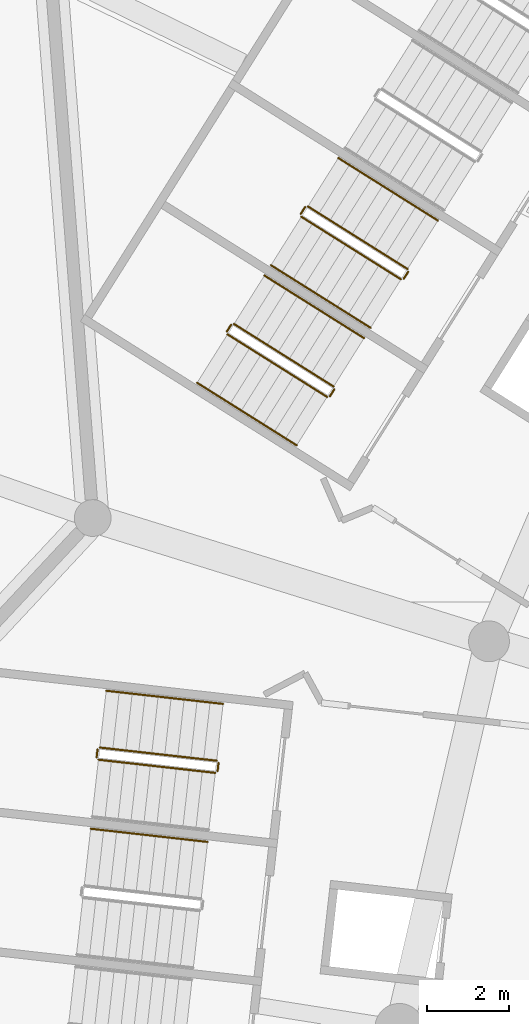
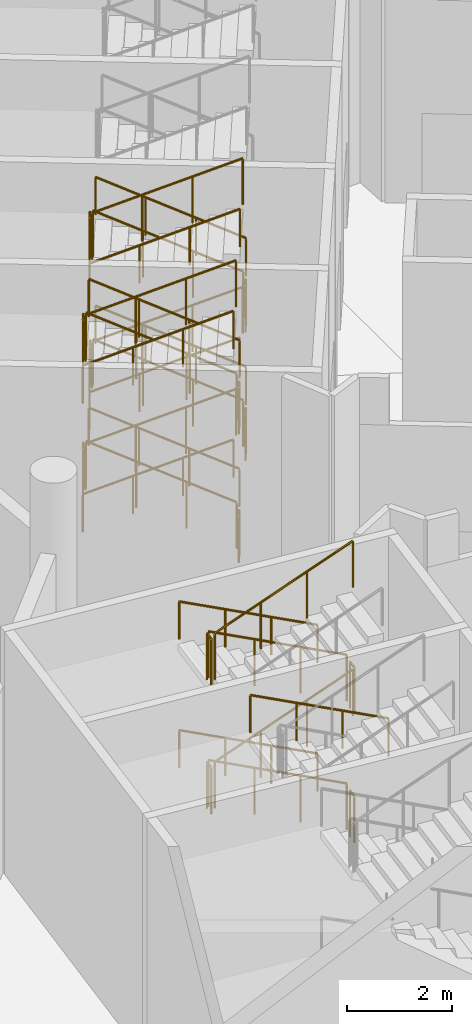
# One storey, part 232 of 249: 35 railings.
"""IFC4 building model written with IfcOpenShell, lengths in metres."""

from ifc_helpers import new_model, si_unit, direction, frame, origin, origin_2d, place, context, subcontext, project, spatial, circle, extrude, material, type_object, element, save


model = new_model("IFC4")

# Units and contexts
model_context = context("Model", 3, precision=1e-05, world=origin(), true_north=direction((0.0, 1.0)))
body_context = subcontext(model_context, "Body", "Model", "MODEL_VIEW")
ifc_project = project(units=[si_unit("LENGTHUNIT", "METRE"), si_unit("AREAUNIT", "SQUARE_METRE"), si_unit("VOLUMEUNIT", "CUBIC_METRE"), si_unit("PLANEANGLEUNIT", "RADIAN"), si_unit("MASSUNIT", "GRAM", prefix="KILO")], contexts=[model_context])

# Site, building, storey
site_placement = place(None, origin())
site = spatial("IfcSite", under=ifc_project, at=site_placement, CompositionType="ELEMENT")
building_placement = place(site_placement, origin())
building = spatial("IfcBuilding", under=site, at=building_placement, Name="Meseta Stadium", CompositionType="ELEMENT")
storey_placement = place(building_placement, frame((0.0, 0.0, 12.0)))
storey = spatial("IfcBuildingStorey", under=building, at=storey_placement, Name="L02", CompositionType="ELEMENT", Elevation=12.0)

# Railings
ifc_material_1 = material(Name="Steel S355", Category="steel")
railing_type_1 = type_object("IfcRailingType", Name="Stair guard 1100", PredefinedType="GUARDRAIL", material=ifc_material_1)
railing_1_placement = place(storey_placement, frame((-84.165283203125, 72.150146484375, 0.14990234375)))
element("IfcRailing", 1, at=railing_1_placement, inside=storey, type_object=railing_type_1, Name="ST55 L02 guard 1", PredefinedType="GUARDRAIL", context=body_context, shape_type="SweptSolid", body=[
    extrude(circle(Radius=0.02392578125, at=origin_2d()), frame((0.0, 0.0, 1.076171875), z_axis=(-0.766655447606, 0.481731036161, 0.424469826318), x_axis=(-0.53203959143, -0.846719477248, 0.0)), (0.0, 0.0, 1.0), 3.1806640625),
    extrude(circle(Radius=0.02099609375, at=origin_2d()), origin(), (0.0, 0.0, 1.0), 1.052001953125),
    extrude(circle(Radius=0.02099609375, at=origin_2d()), frame((-0.812744140625, 0.5107421875, 0.449951171875)), (0.0, 0.0, 1.0), 1.052001953125),
    extrude(circle(Radius=0.02099609375, at=origin_2d()), frame((-1.625732421875, 1.021484375, 0.900146484375)), (0.0, 0.0, 1.0), 1.052001953125),
    extrude(circle(Radius=0.02099609375, at=origin_2d()), frame((-2.4384765625, 1.5322265625, 1.35009765625)), (0.0, 0.0, 1.0), 1.052001953125),
])
railing_2_placement = place(storey_placement, frame((-86.672607421875, 73.666748046875, 1.5)))
element("IfcRailing", 2, at=railing_2_placement, inside=storey, type_object=railing_type_1, Name="ST55 L02 guard 2", PredefinedType="GUARDRAIL", context=body_context, shape_type="SweptSolid", body=[
    extrude(circle(Radius=0.02392578125, at=origin_2d()), frame((0.0, 0.0, 1.076171875), z_axis=(-0.531971628011, -0.846762178531, 0.0), x_axis=(0.846762178531, -0.531971628011, 0.0)), (0.0, 0.0, 1.0), 0.2001953125),
    extrude(circle(Radius=0.02099609375, at=origin_2d()), origin(), (0.0, 0.0, 1.0), 1.052001953125),
    extrude(circle(Radius=0.02099609375, at=origin_2d()), frame((-0.1064453125, -0.16943359375, 0.0)), (0.0, 0.0, 1.0), 1.052001953125),
])
railing_3_placement = place(storey_placement, frame((-86.763427734375, 73.428466796875, 1.64990234375)))
element("IfcRailing", 3, at=railing_3_placement, inside=storey, type_object=railing_type_1, Name="ST55 L02 guard 3", PredefinedType="GUARDRAIL", context=body_context, shape_type="SweptSolid", body=[
    extrude(circle(Radius=0.02392578125, at=origin_2d()), frame((0.0, 0.0, 1.076171875), z_axis=(0.766687087345, -0.481702688975, 0.424444848635), x_axis=(0.532001404082, 0.84674347122, 0.0)), (0.0, 0.0, 1.0), 3.180908203125),
    extrude(circle(Radius=0.02099609375, at=origin_2d()), origin(), (0.0, 0.0, 1.0), 1.052001953125),
    extrude(circle(Radius=0.02099609375, at=origin_2d()), frame((0.81298828125, -0.5107421875, 0.449951171875)), (0.0, 0.0, 1.0), 1.052001953125),
    extrude(circle(Radius=0.02099609375, at=origin_2d()), frame((1.625732421875, -1.021484375, 0.900146484375)), (0.0, 0.0, 1.0), 1.052001953125),
    extrude(circle(Radius=0.02099609375, at=origin_2d()), frame((2.438720703125, -1.5322265625, 1.35009765625)), (0.0, 0.0, 1.0), 1.052001953125),
])
railing_4_placement = place(storey_placement, frame((-84.1494140625, 72.081298828125, 3.0)))
element("IfcRailing", 4, at=railing_4_placement, inside=storey, type_object=railing_type_1, Name="ST55 L02 guard 4", PredefinedType="GUARDRAIL", context=body_context, shape_type="SweptSolid", body=[
    extrude(circle(Radius=0.02392578125, at=origin_2d()), frame((0.0, 0.0, 1.076171875), z_axis=(-0.531971628011, -0.846762178531, 0.0), x_axis=(0.846762178531, -0.531971628011, 0.0)), (0.0, 0.0, 1.0), 0.2001953125),
    extrude(circle(Radius=0.02099609375, at=origin_2d()), origin(), (0.0, 0.0, 1.0), 1.052001953125),
    extrude(circle(Radius=0.02099609375, at=origin_2d()), frame((-0.1064453125, -0.16943359375, 0.0)), (0.0, 0.0, 1.0), 1.052001953125),
])
railing_5_placement = place(storey_placement, frame((-84.165283203125, 72.150146484375, 3.14990234375)))
element("IfcRailing", 5, at=railing_5_placement, inside=storey, type_object=railing_type_1, Name="ST55 L02 guard 5", PredefinedType="GUARDRAIL", context=body_context, shape_type="SweptSolid", body=[
    extrude(circle(Radius=0.02392578125, at=origin_2d()), frame((0.0, 0.0, 1.076171875), z_axis=(-0.766655447606, 0.481731036161, 0.424469826318), x_axis=(-0.53203959143, -0.846719477248, 0.0)), (0.0, 0.0, 1.0), 3.1806640625),
    extrude(circle(Radius=0.02099609375, at=origin_2d()), origin(), (0.0, 0.0, 1.0), 1.052001953125),
    extrude(circle(Radius=0.02099609375, at=origin_2d()), frame((-0.812744140625, 0.5107421875, 0.449951171875)), (0.0, 0.0, 1.0), 1.052001953125),
    extrude(circle(Radius=0.02099609375, at=origin_2d()), frame((-1.625732421875, 1.021484375, 0.900146484375)), (0.0, 0.0, 1.0), 1.052001953125),
    extrude(circle(Radius=0.02099609375, at=origin_2d()), frame((-2.4384765625, 1.5322265625, 1.35009765625)), (0.0, 0.0, 1.0), 1.052001953125),
])
railing_6_placement = place(storey_placement, frame((-86.672607421875, 73.666748046875, 4.5)))
element("IfcRailing", 6, at=railing_6_placement, inside=storey, type_object=railing_type_1, Name="ST55 L02 guard 6", PredefinedType="GUARDRAIL", context=body_context, shape_type="SweptSolid", body=[
    extrude(circle(Radius=0.02392578125, at=origin_2d()), frame((0.0, 0.0, 1.076171875), z_axis=(-0.531971628011, -0.846762178531, 0.0), x_axis=(0.846762178531, -0.531971628011, 0.0)), (0.0, 0.0, 1.0), 0.2001953125),
    extrude(circle(Radius=0.02099609375, at=origin_2d()), origin(), (0.0, 0.0, 1.0), 1.052001953125),
    extrude(circle(Radius=0.02099609375, at=origin_2d()), frame((-0.1064453125, -0.16943359375, 0.0)), (0.0, 0.0, 1.0), 1.052001953125),
])
railing_7_placement = place(storey_placement, frame((-86.763427734375, 73.428466796875, 4.64990234375)))
element("IfcRailing", 7, at=railing_7_placement, inside=storey, type_object=railing_type_1, Name="ST55 L02 guard 7", PredefinedType="GUARDRAIL", context=body_context, shape_type="SweptSolid", body=[
    extrude(circle(Radius=0.02392578125, at=origin_2d()), frame((0.0, 0.0, 1.076171875), z_axis=(0.766687087345, -0.481702688975, 0.424444848635), x_axis=(0.532001404082, 0.84674347122, 0.0)), (0.0, 0.0, 1.0), 3.180908203125),
    extrude(circle(Radius=0.02099609375, at=origin_2d()), origin(), (0.0, 0.0, 1.0), 1.052001953125),
    extrude(circle(Radius=0.02099609375, at=origin_2d()), frame((0.81298828125, -0.5107421875, 0.449951171875)), (0.0, 0.0, 1.0), 1.052001953125),
    extrude(circle(Radius=0.02099609375, at=origin_2d()), frame((1.625732421875, -1.021484375, 0.900146484375)), (0.0, 0.0, 1.0), 1.052001953125),
    extrude(circle(Radius=0.02099609375, at=origin_2d()), frame((2.438720703125, -1.5322265625, 1.35009765625)), (0.0, 0.0, 1.0), 1.052001953125),
])
railing_8_placement = place(storey_placement, frame((-84.1494140625, 72.081298828125, 0.0)))
element("IfcRailing", 8, at=railing_8_placement, inside=storey, type_object=railing_type_1, Name="ST55 L02 guard 8", PredefinedType="GUARDRAIL", context=body_context, shape_type="SweptSolid", body=[
    extrude(circle(Radius=0.02392578125, at=origin_2d()), frame((0.0, 0.0, 1.076171875), z_axis=(-0.531971628011, -0.846762178531, 0.0), x_axis=(0.846762178531, -0.531971628011, 0.0)), (0.0, 0.0, 1.0), 0.2001953125),
    extrude(circle(Radius=0.02099609375, at=origin_2d()), origin(), (0.0, 0.0, 1.0), 1.052001953125),
    extrude(circle(Radius=0.02099609375, at=origin_2d()), frame((-0.1064453125, -0.16943359375, 0.0)), (0.0, 0.0, 1.0), 1.052001953125),
])
railing_9_placement = place(storey_placement, frame((-85.97412109375, 69.271240234375, 0.14990234375)))
element("IfcRailing", 9, at=railing_9_placement, inside=storey, type_object=railing_type_1, Name="ST56 L02 guard 1", PredefinedType="GUARDRAIL", context=body_context, shape_type="SweptSolid", body=[
    extrude(circle(Radius=0.02392578125, at=origin_2d()), frame((0.0, 0.0, 1.076171875), z_axis=(-0.766655447606, 0.481731036161, 0.424469826318), x_axis=(-0.53203959143, -0.846719477248, 0.0)), (0.0, 0.0, 1.0), 3.1806640625),
    extrude(circle(Radius=0.02099609375, at=origin_2d()), origin(), (0.0, 0.0, 1.0), 1.052001953125),
    extrude(circle(Radius=0.02099609375, at=origin_2d()), frame((-0.812744140625, 0.5107421875, 0.449951171875)), (0.0, 0.0, 1.0), 1.052001953125),
    extrude(circle(Radius=0.02099609375, at=origin_2d()), frame((-1.625732421875, 1.021484375, 0.900146484375)), (0.0, 0.0, 1.0), 1.052001953125),
    extrude(circle(Radius=0.02099609375, at=origin_2d()), frame((-2.4384765625, 1.5322265625, 1.35009765625)), (0.0, 0.0, 1.0), 1.052001953125),
])
railing_10_placement = place(storey_placement, frame((-88.481689453125, 70.787841796875, 1.5)))
element("IfcRailing", 10, at=railing_10_placement, inside=storey, type_object=railing_type_1, Name="ST56 L02 guard 2", PredefinedType="GUARDRAIL", context=body_context, shape_type="SweptSolid", body=[
    extrude(circle(Radius=0.02392578125, at=origin_2d()), frame((0.0, 0.0, 1.076171875), z_axis=(-0.531095943551, -0.847311689252, 0.0), x_axis=(0.847311689252, -0.531095943551, 0.0)), (0.0, 0.0, 1.0), 0.199951171875),
    extrude(circle(Radius=0.02099609375, at=origin_2d()), origin(), (0.0, 0.0, 1.0), 1.052001953125),
    extrude(circle(Radius=0.02099609375, at=origin_2d()), frame((-0.106201171875, -0.16943359375, 0.0)), (0.0, 0.0, 1.0), 1.052001953125),
])
railing_11_placement = place(storey_placement, frame((-88.572265625, 70.549560546875, 1.64990234375)))
element("IfcRailing", 11, at=railing_11_placement, inside=storey, type_object=railing_type_1, Name="ST56 L02 guard 3", PredefinedType="GUARDRAIL", context=body_context, shape_type="SweptSolid", body=[
    extrude(circle(Radius=0.02392578125, at=origin_2d()), frame((0.0, 0.0, 1.076171875), z_axis=(0.766655447606, -0.481731036161, 0.424469826318), x_axis=(0.53203959143, 0.846719477248, 0.0)), (0.0, 0.0, 1.0), 3.1806640625),
    extrude(circle(Radius=0.02099609375, at=origin_2d()), origin(), (0.0, 0.0, 1.0), 1.052001953125),
    extrude(circle(Radius=0.02099609375, at=origin_2d()), frame((0.812744140625, -0.5107421875, 0.449951171875)), (0.0, 0.0, 1.0), 1.052001953125),
    extrude(circle(Radius=0.02099609375, at=origin_2d()), frame((1.625732421875, -1.021484375, 0.900146484375)), (0.0, 0.0, 1.0), 1.052001953125),
    extrude(circle(Radius=0.02099609375, at=origin_2d()), frame((2.4384765625, -1.5322265625, 1.35009765625)), (0.0, 0.0, 1.0), 1.052001953125),
])
railing_12_placement = place(storey_placement, frame((-85.958251953125, 69.202392578125, 3.0)))
element("IfcRailing", 12, at=railing_12_placement, inside=storey, type_object=railing_type_1, Name="ST56 L02 guard 4", PredefinedType="GUARDRAIL", context=body_context, shape_type="SweptSolid", body=[
    extrude(circle(Radius=0.02392578125, at=origin_2d()), frame((0.0, 0.0, 1.076171875), z_axis=(-0.531971628011, -0.846762178531, 0.0), x_axis=(0.846762178531, -0.531971628011, 0.0)), (0.0, 0.0, 1.0), 0.2001953125),
    extrude(circle(Radius=0.02099609375, at=origin_2d()), origin(), (0.0, 0.0, 1.0), 1.052001953125),
    extrude(circle(Radius=0.02099609375, at=origin_2d()), frame((-0.1064453125, -0.16943359375, 0.0)), (0.0, 0.0, 1.0), 1.052001953125),
])
railing_13_placement = place(storey_placement, frame((-85.97412109375, 69.271240234375, 3.14990234375)))
element("IfcRailing", 13, at=railing_13_placement, inside=storey, type_object=railing_type_1, Name="ST56 L02 guard 5", PredefinedType="GUARDRAIL", context=body_context, shape_type="SweptSolid", body=[
    extrude(circle(Radius=0.02392578125, at=origin_2d()), frame((0.0, 0.0, 1.076171875), z_axis=(-0.766655447606, 0.481731036161, 0.424469826318), x_axis=(-0.53203959143, -0.846719477248, 0.0)), (0.0, 0.0, 1.0), 3.1806640625),
    extrude(circle(Radius=0.02099609375, at=origin_2d()), origin(), (0.0, 0.0, 1.0), 1.052001953125),
    extrude(circle(Radius=0.02099609375, at=origin_2d()), frame((-0.812744140625, 0.5107421875, 0.449951171875)), (0.0, 0.0, 1.0), 1.052001953125),
    extrude(circle(Radius=0.02099609375, at=origin_2d()), frame((-1.625732421875, 1.021484375, 0.900146484375)), (0.0, 0.0, 1.0), 1.052001953125),
    extrude(circle(Radius=0.02099609375, at=origin_2d()), frame((-2.4384765625, 1.5322265625, 1.35009765625)), (0.0, 0.0, 1.0), 1.052001953125),
])
railing_14_placement = place(storey_placement, frame((-88.481689453125, 70.787841796875, 4.5)))
element("IfcRailing", 14, at=railing_14_placement, inside=storey, type_object=railing_type_1, Name="ST56 L02 guard 6", PredefinedType="GUARDRAIL", context=body_context, shape_type="SweptSolid", body=[
    extrude(circle(Radius=0.02392578125, at=origin_2d()), frame((0.0, 0.0, 1.076171875), z_axis=(-0.531095943551, -0.847311689252, 0.0), x_axis=(0.847311689252, -0.531095943551, 0.0)), (0.0, 0.0, 1.0), 0.199951171875),
    extrude(circle(Radius=0.02099609375, at=origin_2d()), origin(), (0.0, 0.0, 1.0), 1.052001953125),
    extrude(circle(Radius=0.02099609375, at=origin_2d()), frame((-0.106201171875, -0.16943359375, 0.0)), (0.0, 0.0, 1.0), 1.052001953125),
])
railing_15_placement = place(storey_placement, frame((-88.572265625, 70.549560546875, 4.64990234375)))
element("IfcRailing", 15, at=railing_15_placement, inside=storey, type_object=railing_type_1, Name="ST56 L02 guard 7", PredefinedType="GUARDRAIL", context=body_context, shape_type="SweptSolid", body=[
    extrude(circle(Radius=0.02392578125, at=origin_2d()), frame((0.0, 0.0, 1.076171875), z_axis=(0.766655447606, -0.481731036161, 0.424469826318), x_axis=(0.53203959143, 0.846719477248, 0.0)), (0.0, 0.0, 1.0), 3.1806640625),
    extrude(circle(Radius=0.02099609375, at=origin_2d()), origin(), (0.0, 0.0, 1.0), 1.052001953125),
    extrude(circle(Radius=0.02099609375, at=origin_2d()), frame((0.812744140625, -0.5107421875, 0.449951171875)), (0.0, 0.0, 1.0), 1.052001953125),
    extrude(circle(Radius=0.02099609375, at=origin_2d()), frame((1.625732421875, -1.021484375, 0.900146484375)), (0.0, 0.0, 1.0), 1.052001953125),
    extrude(circle(Radius=0.02099609375, at=origin_2d()), frame((2.4384765625, -1.5322265625, 1.35009765625)), (0.0, 0.0, 1.0), 1.052001953125),
])
railing_16_placement = place(storey_placement, frame((-85.958251953125, 69.202392578125, 0.0)))
element("IfcRailing", 16, at=railing_16_placement, inside=storey, type_object=railing_type_1, Name="ST56 L02 guard 8", PredefinedType="GUARDRAIL", context=body_context, shape_type="SweptSolid", body=[
    extrude(circle(Radius=0.02392578125, at=origin_2d()), frame((0.0, 0.0, 1.076171875), z_axis=(-0.531971628011, -0.846762178531, 0.0), x_axis=(0.846762178531, -0.531971628011, 0.0)), (0.0, 0.0, 1.0), 0.2001953125),
    extrude(circle(Radius=0.02099609375, at=origin_2d()), origin(), (0.0, 0.0, 1.0), 1.052001953125),
    extrude(circle(Radius=0.02099609375, at=origin_2d()), frame((-0.1064453125, -0.16943359375, 0.0)), (0.0, 0.0, 1.0), 1.052001953125),
])
railing_17_placement = place(storey_placement, frame((-88.83740234375, 60.10986328125, 0.14990234375)))
element("IfcRailing", 17, at=railing_17_placement, inside=storey, type_object=railing_type_1, Name="ST57 L02 guard 1", PredefinedType="GUARDRAIL", context=body_context, shape_type="SweptSolid", body=[
    extrude(circle(Radius=0.02392578125, at=origin_2d()), frame((0.0, 0.0, 1.076171875), z_axis=(-0.899747905232, 0.10139626197, 0.424467319223), x_axis=(-0.111985219376, -0.993709872468, 0.0)), (0.0, 0.0, 1.0), 3.1806640625),
    extrude(circle(Radius=0.02099609375, at=origin_2d()), origin(), (0.0, 0.0, 1.0), 1.052001953125),
    extrude(circle(Radius=0.02099609375, at=origin_2d()), frame((-0.953857421875, 0.107421875, 0.449951171875)), (0.0, 0.0, 1.0), 1.052001953125),
    extrude(circle(Radius=0.02099609375, at=origin_2d()), frame((-1.907958984375, 0.215087890625, 0.900146484375)), (0.0, 0.0, 1.0), 1.052001953125),
    extrude(circle(Radius=0.02099609375, at=origin_2d()), frame((-2.86181640625, 0.322509765625, 1.35009765625)), (0.0, 0.0, 1.0), 1.052001953125),
])
railing_18_placement = place(storey_placement, frame((-91.754638671875, 60.38818359375, 1.5)))
element("IfcRailing", 18, at=railing_18_placement, inside=storey, type_object=railing_type_1, Name="ST57 L02 guard 2", PredefinedType="GUARDRAIL", context=body_context, shape_type="SweptSolid", body=[
    extrude(circle(Radius=0.02392578125, at=origin_2d()), frame((0.0, 0.0, 1.076171875), z_axis=(-0.112307083986, -0.993673547442, 0.0), x_axis=(0.993673547442, -0.112307083986, 0.0)), (0.0, 0.0, 1.0), 0.199951171875),
    extrude(circle(Radius=0.02099609375, at=origin_2d()), origin(), (0.0, 0.0, 1.0), 1.052001953125),
    extrude(circle(Radius=0.02099609375, at=origin_2d()), frame((-0.0224609375, -0.19873046875, 0.0)), (0.0, 0.0, 1.0), 1.052001953125),
])
railing_19_placement = place(storey_placement, frame((-91.73291015625, 60.13427734375, 1.64990234375)))
element("IfcRailing", 19, at=railing_19_placement, inside=storey, type_object=railing_type_1, Name="ST57 L02 guard 3", PredefinedType="GUARDRAIL", context=body_context, shape_type="SweptSolid", body=[
    extrude(circle(Radius=0.02392578125, at=origin_2d()), frame((0.0, 0.0, 1.076171875), z_axis=(0.899747905232, -0.10139626197, 0.424467319223), x_axis=(0.111985219376, 0.993709872468, 0.0)), (0.0, 0.0, 1.0), 3.1806640625),
    extrude(circle(Radius=0.02099609375, at=origin_2d()), origin(), (0.0, 0.0, 1.0), 1.052001953125),
    extrude(circle(Radius=0.02099609375, at=origin_2d()), frame((0.953857421875, -0.107421875, 0.449951171875)), (0.0, 0.0, 1.0), 1.052001953125),
    extrude(circle(Radius=0.02099609375, at=origin_2d()), frame((1.907958984375, -0.215087890625, 0.900146484375)), (0.0, 0.0, 1.0), 1.052001953125),
    extrude(circle(Radius=0.02099609375, at=origin_2d()), frame((2.86181640625, -0.322509765625, 1.35009765625)), (0.0, 0.0, 1.0), 1.052001953125),
])
railing_20_placement = place(storey_placement, frame((-88.793212890625, 60.054443359375, 3.0)))
element("IfcRailing", 20, at=railing_20_placement, inside=storey, type_object=railing_type_1, Name="ST57 L02 guard 4", PredefinedType="GUARDRAIL", context=body_context, shape_type="SweptSolid", body=[
    extrude(circle(Radius=0.02392578125, at=origin_2d()), frame((0.0, 0.0, 1.076171875), z_axis=(-0.112307083986, -0.993673547442, 0.0), x_axis=(0.993673547442, -0.112307083986, 0.0)), (0.0, 0.0, 1.0), 0.199951171875),
    extrude(circle(Radius=0.02099609375, at=origin_2d()), origin(), (0.0, 0.0, 1.0), 1.052001953125),
    extrude(circle(Radius=0.02099609375, at=origin_2d()), frame((-0.0224609375, -0.19873046875, 0.0)), (0.0, 0.0, 1.0), 1.052001953125),
])
railing_21_placement = place(storey_placement, frame((-88.83740234375, 60.10986328125, 3.14990234375)))
element("IfcRailing", 21, at=railing_21_placement, inside=storey, type_object=railing_type_1, Name="ST57 L02 guard 5", PredefinedType="GUARDRAIL", context=body_context, shape_type="SweptSolid", body=[
    extrude(circle(Radius=0.02392578125, at=origin_2d()), frame((0.0, 0.0, 1.076171875), z_axis=(-0.899747905232, 0.10139626197, 0.424467319223), x_axis=(-0.111985219376, -0.993709872468, 0.0)), (0.0, 0.0, 1.0), 3.1806640625),
    extrude(circle(Radius=0.02099609375, at=origin_2d()), origin(), (0.0, 0.0, 1.0), 1.052001953125),
    extrude(circle(Radius=0.02099609375, at=origin_2d()), frame((-0.953857421875, 0.107421875, 0.449951171875)), (0.0, 0.0, 1.0), 1.052001953125),
    extrude(circle(Radius=0.02099609375, at=origin_2d()), frame((-1.907958984375, 0.215087890625, 0.900146484375)), (0.0, 0.0, 1.0), 1.052001953125),
    extrude(circle(Radius=0.02099609375, at=origin_2d()), frame((-2.86181640625, 0.322509765625, 1.35009765625)), (0.0, 0.0, 1.0), 1.052001953125),
])
railing_22_placement = place(storey_placement, frame((-91.754638671875, 60.38818359375, 4.5)))
element("IfcRailing", 22, at=railing_22_placement, inside=storey, type_object=railing_type_1, Name="ST57 L02 guard 6", PredefinedType="GUARDRAIL", context=body_context, shape_type="SweptSolid", body=[
    extrude(circle(Radius=0.02392578125, at=origin_2d()), frame((0.0, 0.0, 1.076171875), z_axis=(-0.112307083986, -0.993673547442, 0.0), x_axis=(0.993673547442, -0.112307083986, 0.0)), (0.0, 0.0, 1.0), 0.199951171875),
    extrude(circle(Radius=0.02099609375, at=origin_2d()), origin(), (0.0, 0.0, 1.0), 1.052001953125),
    extrude(circle(Radius=0.02099609375, at=origin_2d()), frame((-0.0224609375, -0.19873046875, 0.0)), (0.0, 0.0, 1.0), 1.052001953125),
])
railing_23_placement = place(storey_placement, frame((-91.73291015625, 60.13427734375, 4.64990234375)))
element("IfcRailing", 23, at=railing_23_placement, inside=storey, type_object=railing_type_1, Name="ST57 L02 guard 7", PredefinedType="GUARDRAIL", context=body_context, shape_type="SweptSolid", body=[
    extrude(circle(Radius=0.02392578125, at=origin_2d()), frame((0.0, 0.0, 1.076171875), z_axis=(0.899747905232, -0.10139626197, 0.424467319223), x_axis=(0.111985219376, 0.993709872468, 0.0)), (0.0, 0.0, 1.0), 3.1806640625),
    extrude(circle(Radius=0.02099609375, at=origin_2d()), origin(), (0.0, 0.0, 1.0), 1.052001953125),
    extrude(circle(Radius=0.02099609375, at=origin_2d()), frame((0.953857421875, -0.107421875, 0.449951171875)), (0.0, 0.0, 1.0), 1.052001953125),
    extrude(circle(Radius=0.02099609375, at=origin_2d()), frame((1.907958984375, -0.215087890625, 0.900146484375)), (0.0, 0.0, 1.0), 1.052001953125),
    extrude(circle(Radius=0.02099609375, at=origin_2d()), frame((2.86181640625, -0.322509765625, 1.35009765625)), (0.0, 0.0, 1.0), 1.052001953125),
])
railing_24_placement = place(storey_placement, frame((-88.793212890625, 60.054443359375, 0.0)))
element("IfcRailing", 24, at=railing_24_placement, inside=storey, type_object=railing_type_1, Name="ST57 L02 guard 8", PredefinedType="GUARDRAIL", context=body_context, shape_type="SweptSolid", body=[
    extrude(circle(Radius=0.02392578125, at=origin_2d()), frame((0.0, 0.0, 1.076171875), z_axis=(-0.112307083986, -0.993673547442, 0.0), x_axis=(0.993673547442, -0.112307083986, 0.0)), (0.0, 0.0, 1.0), 0.199951171875),
    extrude(circle(Radius=0.02099609375, at=origin_2d()), origin(), (0.0, 0.0, 1.0), 1.052001953125),
    extrude(circle(Radius=0.02099609375, at=origin_2d()), frame((-0.0224609375, -0.19873046875, 0.0)), (0.0, 0.0, 1.0), 1.052001953125),
])
ifc_material_2 = material(Name="Steel S355", Category="steel")
railing_type_2 = type_object("IfcRailingType", Name="Stair handrail 900", PredefinedType="HANDRAIL", material=ifc_material_2)
railing_25_placement = place(storey_placement, frame((-83.42041015625, 73.335693359375, 0.14990234375)))
element("IfcRailing", 25, at=railing_25_placement, inside=storey, type_object=railing_type_2, Name="ST55 L02 handrail 1", PredefinedType="HANDRAIL", context=body_context, shape_type="SweptSolid", body=[
    extrude(circle(Radius=0.02392578125, at=origin_2d()), frame((0.0, 0.0, 0.8759765625), z_axis=(-0.766655447606, 0.481731036161, 0.424469826318), x_axis=(-0.53203959143, -0.846719477248, 0.0)), (0.0, 0.0, 1.0), 3.1806640625),
    extrude(circle(Radius=0.02099609375, at=origin_2d()), origin(), (0.0, 0.0, 1.0), 0.851806640625),
    extrude(circle(Radius=0.02099609375, at=origin_2d()), frame((-0.812744140625, 0.5107421875, 0.449951171875)), (0.0, 0.0, 1.0), 0.851806640625),
    extrude(circle(Radius=0.02099609375, at=origin_2d()), frame((-1.625732421875, 1.021484375, 0.900146484375)), (0.0, 0.0, 1.0), 0.851806640625),
    extrude(circle(Radius=0.02099609375, at=origin_2d()), frame((-2.4384765625, 1.5322265625, 1.35009765625)), (0.0, 0.0, 1.0), 0.851806640625),
])
railing_26_placement = place(storey_placement, frame((-87.50830078125, 72.242919921875, 1.64990234375)))
element("IfcRailing", 26, at=railing_26_placement, inside=storey, type_object=railing_type_2, Name="ST55 L02 handrail 2", PredefinedType="HANDRAIL", context=body_context, shape_type="SweptSolid", body=[
    extrude(circle(Radius=0.02392578125, at=origin_2d()), frame((0.0, 0.0, 0.8759765625), z_axis=(0.766687087345, -0.481702688975, 0.424444848635), x_axis=(0.532001404082, 0.84674347122, 0.0)), (0.0, 0.0, 1.0), 3.180908203125),
    extrude(circle(Radius=0.02099609375, at=origin_2d()), origin(), (0.0, 0.0, 1.0), 0.851806640625),
    extrude(circle(Radius=0.02099609375, at=origin_2d()), frame((0.81298828125, -0.5107421875, 0.449951171875)), (0.0, 0.0, 1.0), 0.851806640625),
    extrude(circle(Radius=0.02099609375, at=origin_2d()), frame((1.625732421875, -1.021484375, 0.900146484375)), (0.0, 0.0, 1.0), 0.851806640625),
    extrude(circle(Radius=0.02099609375, at=origin_2d()), frame((2.438720703125, -1.5322265625, 1.35009765625)), (0.0, 0.0, 1.0), 0.851806640625),
])
railing_27_placement = place(storey_placement, frame((-83.42041015625, 73.335693359375, 3.14990234375)))
element("IfcRailing", 27, at=railing_27_placement, inside=storey, type_object=railing_type_2, Name="ST55 L02 handrail 3", PredefinedType="HANDRAIL", context=body_context, shape_type="SweptSolid", body=[
    extrude(circle(Radius=0.02392578125, at=origin_2d()), frame((0.0, 0.0, 0.8759765625), z_axis=(-0.766655447606, 0.481731036161, 0.424469826318), x_axis=(-0.53203959143, -0.846719477248, 0.0)), (0.0, 0.0, 1.0), 3.1806640625),
    extrude(circle(Radius=0.02099609375, at=origin_2d()), origin(), (0.0, 0.0, 1.0), 0.851806640625),
    extrude(circle(Radius=0.02099609375, at=origin_2d()), frame((-0.812744140625, 0.5107421875, 0.449951171875)), (0.0, 0.0, 1.0), 0.851806640625),
    extrude(circle(Radius=0.02099609375, at=origin_2d()), frame((-1.625732421875, 1.021484375, 0.900146484375)), (0.0, 0.0, 1.0), 0.851806640625),
    extrude(circle(Radius=0.02099609375, at=origin_2d()), frame((-2.4384765625, 1.5322265625, 1.35009765625)), (0.0, 0.0, 1.0), 0.851806640625),
])
railing_28_placement = place(storey_placement, frame((-87.50830078125, 72.242919921875, 4.64990234375)))
element("IfcRailing", 28, at=railing_28_placement, inside=storey, type_object=railing_type_2, Name="ST55 L02 handrail 4", PredefinedType="HANDRAIL", context=body_context, shape_type="SweptSolid", body=[
    extrude(circle(Radius=0.02392578125, at=origin_2d()), frame((0.0, 0.0, 0.8759765625), z_axis=(0.766687087345, -0.481702688975, 0.424444848635), x_axis=(0.532001404082, 0.84674347122, 0.0)), (0.0, 0.0, 1.0), 3.180908203125),
    extrude(circle(Radius=0.02099609375, at=origin_2d()), origin(), (0.0, 0.0, 1.0), 0.851806640625),
    extrude(circle(Radius=0.02099609375, at=origin_2d()), frame((0.81298828125, -0.5107421875, 0.449951171875)), (0.0, 0.0, 1.0), 0.851806640625),
    extrude(circle(Radius=0.02099609375, at=origin_2d()), frame((1.625732421875, -1.021484375, 0.900146484375)), (0.0, 0.0, 1.0), 0.851806640625),
    extrude(circle(Radius=0.02099609375, at=origin_2d()), frame((2.438720703125, -1.5322265625, 1.35009765625)), (0.0, 0.0, 1.0), 0.851806640625),
])
railing_29_placement = place(storey_placement, frame((-85.229248046875, 70.456787109375, 0.14990234375)))
element("IfcRailing", 29, at=railing_29_placement, inside=storey, type_object=railing_type_2, Name="ST56 L02 handrail 1", PredefinedType="HANDRAIL", context=body_context, shape_type="SweptSolid", body=[
    extrude(circle(Radius=0.02392578125, at=origin_2d()), frame((0.0, 0.0, 0.8759765625), z_axis=(-0.766655447606, 0.481731036161, 0.424469826318), x_axis=(-0.53203959143, -0.846719477248, 0.0)), (0.0, 0.0, 1.0), 3.1806640625),
    extrude(circle(Radius=0.02099609375, at=origin_2d()), origin(), (0.0, 0.0, 1.0), 0.851806640625),
    extrude(circle(Radius=0.02099609375, at=origin_2d()), frame((-0.812744140625, 0.5107421875, 0.449951171875)), (0.0, 0.0, 1.0), 0.851806640625),
    extrude(circle(Radius=0.02099609375, at=origin_2d()), frame((-1.625732421875, 1.021484375, 0.900146484375)), (0.0, 0.0, 1.0), 0.851806640625),
    extrude(circle(Radius=0.02099609375, at=origin_2d()), frame((-2.4384765625, 1.5322265625, 1.35009765625)), (0.0, 0.0, 1.0), 0.851806640625),
])
railing_30_placement = place(storey_placement, frame((-89.317138671875, 69.3642578125, 1.64990234375)))
element("IfcRailing", 30, at=railing_30_placement, inside=storey, type_object=railing_type_2, Name="ST56 L02 handrail 2", PredefinedType="HANDRAIL", context=body_context, shape_type="SweptSolid", body=[
    extrude(circle(Radius=0.02392578125, at=origin_2d()), frame((0.0, 0.0, 0.8759765625), z_axis=(0.766627098651, -0.481789977797, 0.424454130511), x_axis=(0.532100364439, 0.846681287241, 0.0)), (0.0, 0.0, 1.0), 3.1806640625),
    extrude(circle(Radius=0.02099609375, at=origin_2d()), origin(), (0.0, 0.0, 1.0), 0.851806640625),
    extrude(circle(Radius=0.02099609375, at=origin_2d()), frame((0.812744140625, -0.5107421875, 0.449951171875)), (0.0, 0.0, 1.0), 0.851806640625),
    extrude(circle(Radius=0.02099609375, at=origin_2d()), frame((1.625732421875, -1.021728515625, 0.900146484375)), (0.0, 0.0, 1.0), 0.851806640625),
    extrude(circle(Radius=0.02099609375, at=origin_2d()), frame((2.4384765625, -1.532470703125, 1.35009765625)), (0.0, 0.0, 1.0), 0.851806640625),
])
railing_31_placement = place(storey_placement, frame((-85.229248046875, 70.456787109375, 3.14990234375)))
element("IfcRailing", 31, at=railing_31_placement, inside=storey, type_object=railing_type_2, Name="ST56 L02 handrail 3", PredefinedType="HANDRAIL", context=body_context, shape_type="SweptSolid", body=[
    extrude(circle(Radius=0.02392578125, at=origin_2d()), frame((0.0, 0.0, 0.8759765625), z_axis=(-0.766655447606, 0.481731036161, 0.424469826318), x_axis=(-0.53203959143, -0.846719477248, 0.0)), (0.0, 0.0, 1.0), 3.1806640625),
    extrude(circle(Radius=0.02099609375, at=origin_2d()), origin(), (0.0, 0.0, 1.0), 0.851806640625),
    extrude(circle(Radius=0.02099609375, at=origin_2d()), frame((-0.812744140625, 0.5107421875, 0.449951171875)), (0.0, 0.0, 1.0), 0.851806640625),
    extrude(circle(Radius=0.02099609375, at=origin_2d()), frame((-1.625732421875, 1.021484375, 0.900146484375)), (0.0, 0.0, 1.0), 0.851806640625),
    extrude(circle(Radius=0.02099609375, at=origin_2d()), frame((-2.4384765625, 1.5322265625, 1.35009765625)), (0.0, 0.0, 1.0), 0.851806640625),
])
railing_32_placement = place(storey_placement, frame((-89.317138671875, 69.3642578125, 4.64990234375)))
element("IfcRailing", 32, at=railing_32_placement, inside=storey, type_object=railing_type_2, Name="ST56 L02 handrail 4", PredefinedType="HANDRAIL", context=body_context, shape_type="SweptSolid", body=[
    extrude(circle(Radius=0.02392578125, at=origin_2d()), frame((0.0, 0.0, 0.8759765625), z_axis=(0.766627098651, -0.481789977797, 0.424454130511), x_axis=(0.532100364439, 0.846681287241, 0.0)), (0.0, 0.0, 1.0), 3.1806640625),
    extrude(circle(Radius=0.02099609375, at=origin_2d()), origin(), (0.0, 0.0, 1.0), 0.851806640625),
    extrude(circle(Radius=0.02099609375, at=origin_2d()), frame((0.812744140625, -0.5107421875, 0.449951171875)), (0.0, 0.0, 1.0), 0.851806640625),
    extrude(circle(Radius=0.02099609375, at=origin_2d()), frame((1.625732421875, -1.021728515625, 0.900146484375)), (0.0, 0.0, 1.0), 0.851806640625),
    extrude(circle(Radius=0.02099609375, at=origin_2d()), frame((2.4384765625, -1.532470703125, 1.35009765625)), (0.0, 0.0, 1.0), 0.851806640625),
])
for number, where, name in (
    (33, (-88.6806640625, 61.5009765625, 0.14990234375), "ST57 L02 handrail 1"),
    (34, (-88.6806640625, 61.5009765625, 3.14990234375), "ST57 L02 handrail 3"),
):
    element("IfcRailing", number, at=place(storey_placement, frame(where)), inside=storey, type_object=railing_type_2, Name=name, PredefinedType="HANDRAIL", context=body_context, shape_type="SweptSolid", body=[
        extrude(circle(Radius=0.02392578125, at=origin_2d()), frame((0.0, 0.0, 0.8759765625), z_axis=(-0.899747905232, 0.10139626197, 0.424467319223), x_axis=(-0.111985219376, -0.993709872468, 0.0)), (0.0, 0.0, 1.0), 3.1806640625),
        extrude(circle(Radius=0.02099609375, at=origin_2d()), origin(), (0.0, 0.0, 1.0), 0.851806640625),
        extrude(circle(Radius=0.02099609375, at=origin_2d()), frame((-0.953857421875, 0.107421875, 0.449951171875)), (0.0, 0.0, 1.0), 0.851806640625),
        extrude(circle(Radius=0.02099609375, at=origin_2d()), frame((-1.907958984375, 0.215087890625, 0.900146484375)), (0.0, 0.0, 1.0), 0.851806640625),
        extrude(circle(Radius=0.02099609375, at=origin_2d()), frame((-2.86181640625, 0.322509765625, 1.35009765625)), (0.0, 0.0, 1.0), 0.851806640625),
    ])
railing_33_placement = place(storey_placement, frame((-89.061279296875, 58.122314453125, 3.14990234375)))
element("IfcRailing", 35, at=railing_33_placement, inside=storey, type_object=railing_type_2, Name="ST58 L02 handrail 3", PredefinedType="HANDRAIL", context=body_context, shape_type="SweptSolid", body=[
    extrude(circle(Radius=0.02392578125, at=origin_2d()), frame((0.0, 0.0, 0.8759765625), z_axis=(-0.899762522411, 0.101389259755, 0.424438006392), x_axis=(-0.11197578655, -0.993710935447, 0.0)), (0.0, 0.0, 1.0), 3.180908203125),
    extrude(circle(Radius=0.02099609375, at=origin_2d()), origin(), (0.0, 0.0, 1.0), 0.851806640625),
    extrude(circle(Radius=0.02099609375, at=origin_2d()), frame((-0.9541015625, 0.107421875, 0.449951171875)), (0.0, 0.0, 1.0), 0.851806640625),
    extrude(circle(Radius=0.02099609375, at=origin_2d()), frame((-1.907958984375, 0.215087890625, 0.900146484375)), (0.0, 0.0, 1.0), 0.851806640625),
    extrude(circle(Radius=0.02099609375, at=origin_2d()), frame((-2.862060546875, 0.322509765625, 1.35009765625)), (0.0, 0.0, 1.0), 0.851806640625),
])

save(model, "model.ifc")
